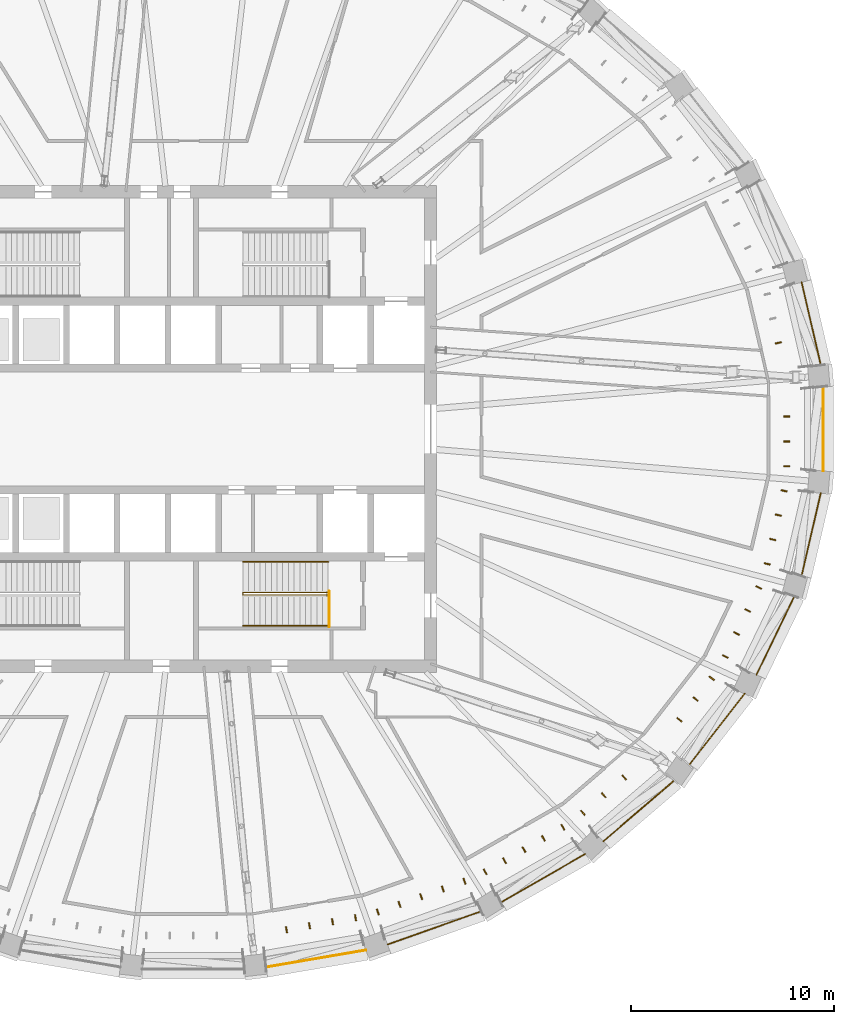
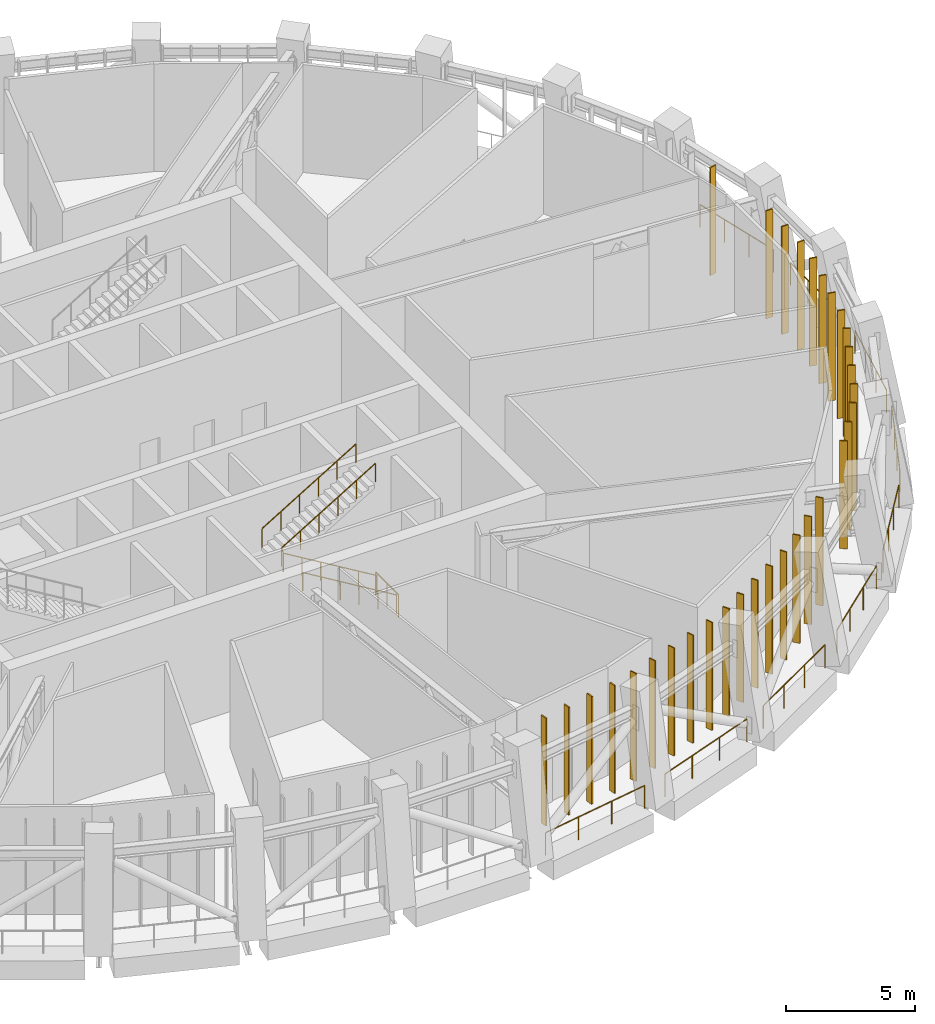
# One storey, part 17 of 20: 32 shading devices, 13 railings.
"""IFC4 building model written with IfcOpenShell, lengths in metres."""

from ifc_helpers import new_model, si_unit, direction, frame, origin, origin_2d, place, context, subcontext, project, spatial, rectangle, circle, extrude, material, material_profile, profile_set, type_object, element, save


model = new_model("IFC4")

# Units and contexts
model_context = context("Model", 3, precision=1e-05, world=origin(), true_north=direction((0.0, 1.0)))
body_context = subcontext(model_context, "Body", "Model", "MODEL_VIEW")
ifc_project = project(units=[si_unit("LENGTHUNIT", "METRE"), si_unit("AREAUNIT", "SQUARE_METRE"), si_unit("VOLUMEUNIT", "CUBIC_METRE"), si_unit("PLANEANGLEUNIT", "RADIAN"), si_unit("MASSUNIT", "GRAM", prefix="KILO")], contexts=[model_context])

# Site, building, storey
site_placement = place(None, origin())
site = spatial("IfcSite", under=ifc_project, at=site_placement, CompositionType="ELEMENT")
building_placement = place(site_placement, origin())
building = spatial("IfcBuilding", under=site, at=building_placement, Name="Halqa Exchange Tower", CompositionType="ELEMENT")
storey_placement = place(building_placement, frame((0.0, 0.0, 250.89990234375)))
storey = spatial("IfcBuildingStorey", under=building, at=storey_placement, Name="L58", CompositionType="ELEMENT", Elevation=250.89990234375)

# Shading devices
ifc_material_1 = material(Name="Anodised aluminium", Category="aluminium")
ifc_material_profile = material_profile(ifc_material_1, rectangle(XDim=0.300048828125, YDim=0.06005859375, at=origin_2d()), Name="AL FIN 300x60")
ifc_profile_set = profile_set([ifc_material_profile], Name="Anodised aluminium")
shading_device_type = type_object("IfcShadingDeviceType", Name="Aluminium louvre FIN 300 x 60", PredefinedType="USERDEFINED", material=ifc_profile_set)
for number, where, z_axis, x_axis, name in (
    (1, (28.84716796875, 4.247314453125, 0.0), (0.0, 0.0, 1.0), (-0.974113055311, -0.226061397572, 0.0), "Louvre FIN 1.2"),
    (2, (4.595458984375, -24.6796875, 0.0), (0.0, 0.0, 1.0), (-0.168066151282, 0.985775719316, 0.0), "Louvre FIN 25.2"),
    (3, (5.730224609375, -24.486328125, 0.0), (0.0, 0.0, 1.0), (-0.168066151282, 0.985775719316, 0.0), "Louvre FIN 25.3"),
    (4, (6.864990234375, -24.29296875, 0.0), (0.0, 0.0, 1.0), (-0.168066151282, 0.985775719316, 0.0), "Louvre FIN 25.4"),
    (5, (7.999755859375, -24.099365234375, 0.0), (0.0, 0.0, 1.0), (-0.168066151282, 0.985775719316, 0.0), "Louvre FIN 25.5"),
    (6, (9.100830078125, -23.81298828125, 0.0), (0.0, 0.0, 1.0), (-0.334578355387, 0.94236793457, 0.0), "Louvre FIN 26.1"),
    (7, (10.168701171875, -23.43408203125, 0.0), (0.0, 0.0, 1.0), (-0.334578355387, 0.94236793457, 0.0), "Louvre FIN 26.2"),
    (8, (11.236328125, -23.054931640625, 0.0), (0.0, 0.0, 1.0), (-0.334578355387, 0.94236793457, 0.0), "Louvre FIN 26.3"),
    (9, (12.30419921875, -22.67578125, 0.0), (0.0, 0.0, 1.0), (-0.334578355387, 0.94236793457, 0.0), "Louvre FIN 26.4"),
    (10, (13.371826171875, -22.296875, 0.0), (0.0, 0.0, 1.0), (-0.334578355387, 0.94236793457, 0.0), "Louvre FIN 26.5"),
    (11, (14.385498046875, -21.83251953125, 0.0), (0.0, 0.0, 1.0), (-0.496984562745, 0.867759381622, 0.0), "Louvre FIN 27.1"),
    (12, (15.3447265625, -21.283203125, 0.0), (0.0, 0.0, 1.0), (-0.496984562745, 0.867759381622, 0.0), "Louvre FIN 27.2"),
    (13, (16.303955078125, -20.733642578125, 0.0), (0.0, 0.0, 1.0), (-0.496984562745, 0.867759381622, 0.0), "Louvre FIN 27.3"),
    (14, (17.26318359375, -20.184326171875, 0.0), (0.0, 0.0, 1.0), (-0.496984562745, 0.867759381622, 0.0), "Louvre FIN 27.4"),
    (15, (18.222412109375, -19.635009765625, 0.0), (0.0, 0.0, 1.0), (-0.496984562745, 0.867759381622, 0.0), "Louvre FIN 27.5"),
    (16, (19.210693359375, -18.92431640625, 0.0), (0.0, 0.0, 1.0), (-0.650795419867, 0.759253133994, 0.0), "Louvre FIN 28.1"),
    (17, (20.22802734375, -18.05224609375, 0.0), (0.0, 0.0, 1.0), (-0.650795419867, 0.759253133994, 0.0), "Louvre FIN 28.2"),
    (18, (21.245361328125, -17.180419921875, 0.0), (0.0, 0.0, 1.0), (-0.650795419867, 0.759253133994, 0.0), "Louvre FIN 28.3"),
    (19, (23.967041015625, -14.33837890625, 0.0), (0.0, 0.0, 1.0), (-0.788670063644, 0.614816664309, 0.0), "Louvre FIN 29.2"),
    (20, (24.764404296875, -13.31591796875, 0.0), (0.0, 0.0, 1.0), (-0.788670063644, 0.614816664309, 0.0), "Louvre FIN 29.3"),
    (21, (25.5615234375, -12.293212890625, 0.0), (0.0, 0.0, 1.0), (-0.788670063644, 0.614816664309, 0.0), "Louvre FIN 29.4"),
    (22, (26.23388671875, -11.21533203125, 0.0), (0.0, 0.0, 1.0), (-0.900385607481, 0.435092815203, 0.0), "Louvre FIN 30.1"),
    (23, (26.781494140625, -10.08203125, 0.0), (0.0, 0.0, 1.0), (-0.900385607481, 0.435092815203, 0.0), "Louvre FIN 30.2"),
    (24, (27.3291015625, -8.948974609375, 0.0), (0.0, 0.0, 1.0), (-0.900385607481, 0.435092815203, 0.0), "Louvre FIN 30.3"),
    (25, (27.876708984375, -7.815673828125, 0.0), (0.0, 0.0, 1.0), (-0.900385607481, 0.435092815203, 0.0), "Louvre FIN 30.4"),
    (26, (28.289794921875, -6.648681640625, 0.0), (0.0, 0.0, 1.0), (-0.974113055311, 0.226061397572, 0.0), "Louvre FIN 31.1"),
    (27, (28.568359375, -5.447998046875, 0.0), (0.0, 0.0, 1.0), (-0.974113055311, 0.226061397572, 0.0), "Louvre FIN 31.2"),
    (28, (28.84716796875, -4.247314453125, 0.0), (0.0, 0.0, 1.0), (-0.974113055311, 0.226061397572, 0.0), "Louvre FIN 31.3"),
    (29, (29.125732421875, -3.046875, 0.0), (0.0, 0.0, 1.0), (-0.974113055311, 0.226061397572, 0.0), "Louvre FIN 31.4"),
    (30, (29.264892578125, -1.8349609375, 0.0), (0.0, 0.0, 1.0), (-1.0, 0.0, 0.0), "Louvre FIN 32.1"),
    (31, (29.264892578125, -0.611572265625, 0.0), (0.0, 0.0, 1.0), (-1.0, 0.0, 0.0), "Louvre FIN 32.2"),
    (32, (29.264892578125, 0.611572265625, 0.0), (0.0, 0.0, 1.0), (-1.0, 0.0, 0.0), "Louvre FIN 32.3"),
):
    element("IfcShadingDevice", number, at=place(storey_placement, frame(where, z_axis=z_axis, x_axis=x_axis)), inside=storey, type_object=shading_device_type, Name=name, ObjectType="FIN", PredefinedType="USERDEFINED", context=body_context, shape_type="SweptSolid", body=[
        extrude(rectangle(XDim=0.300048828125, YDim=0.06005859375, at=origin_2d()), origin(), (0.0, 0.0, 1.0), 5.10009765625),
    ])

# Railings
ifc_material_2 = material(Name="Stainless steel", Category="steel")
railing_type_1 = type_object("IfcRailingType", Name="Guard 1100 stainless steel", PredefinedType="GUARDRAIL", material=ifc_material_2)
railing_1_placement = place(storey_placement, frame((30.935791015625, 3.157958984375, 0.0)))
element("IfcRailing", 33, at=railing_1_placement, inside=storey, type_object=railing_type_1, Name="Band edge guard 1", PredefinedType="GUARDRAIL", context=body_context, shape_type="SweptSolid", body=[
    extrude(circle(Radius=0.02392578125, at=origin_2d()), frame((0.0, 0.0, 1.076171875), z_axis=(-0.226023818634, 0.974121775452, 0.0), x_axis=(-0.974121775452, -0.226023818634, 0.0)), (0.0, 0.0, 1.0), 4.18017578125),
    extrude(circle(Radius=0.02099609375, at=origin_2d()), origin(), (0.0, 0.0, 1.0), 1.052001953125),
    extrude(circle(Radius=0.02099609375, at=origin_2d()), frame((-0.31494140625, 1.357421875, 0.0)), (0.0, 0.0, 1.0), 1.052001953125),
    extrude(circle(Radius=0.02099609375, at=origin_2d()), frame((-0.6298828125, 2.714599609375, 0.0)), (0.0, 0.0, 1.0), 1.052001953125),
    extrude(circle(Radius=0.02099609375, at=origin_2d()), frame((-0.94482421875, 4.072021484375, 0.0)), (0.0, 0.0, 1.0), 1.052001953125),
])
railing_2_placement = place(storey_placement, frame((3.601318359375, -26.53076171875, 0.0)))
element("IfcRailing", 34, at=railing_2_placement, inside=storey, type_object=railing_type_1, Name="Band edge guard 25", PredefinedType="GUARDRAIL", context=body_context, shape_type="SweptSolid", body=[
    extrude(circle(Radius=0.02392578125, at=origin_2d()), frame((0.0, 0.0, 1.076171875), z_axis=(0.985770472782, 0.168096921419, 0.0), x_axis=(-0.168096921419, 0.985770472782, 0.0)), (0.0, 0.0, 1.0), 4.987548828125),
    extrude(circle(Radius=0.02099609375, at=origin_2d()), origin(), (0.0, 0.0, 1.0), 1.052001953125),
    extrude(circle(Radius=0.02099609375, at=origin_2d()), frame((1.638916015625, 0.279541015625, 0.0)), (0.0, 0.0, 1.0), 1.052001953125),
    extrude(circle(Radius=0.02099609375, at=origin_2d()), frame((3.277587890625, 0.558837890625, 0.0)), (0.0, 0.0, 1.0), 1.052001953125),
    extrude(circle(Radius=0.02099609375, at=origin_2d()), frame((4.91650390625, 0.83837890625, 0.0)), (0.0, 0.0, 1.0), 1.052001953125),
])
railing_3_placement = place(storey_placement, frame((9.578125, -25.416015625, 0.0)))
element("IfcRailing", 35, at=railing_3_placement, inside=storey, type_object=railing_type_1, Name="Band edge guard 26", PredefinedType="GUARDRAIL", context=body_context, shape_type="SweptSolid", body=[
    extrude(circle(Radius=0.02392578125, at=origin_2d()), frame((0.0, 0.0, 1.076171875), z_axis=(0.942363882557, 0.334589768002, 0.0), x_axis=(-0.334589768002, 0.942363882557, 0.0)), (0.0, 0.0, 1.0), 4.898193359375),
    extrude(circle(Radius=0.02099609375, at=origin_2d()), origin(), (0.0, 0.0, 1.0), 1.052001953125),
    extrude(circle(Radius=0.02099609375, at=origin_2d()), frame((1.53857421875, 0.54638671875, 0.0)), (0.0, 0.0, 1.0), 1.052001953125),
    extrude(circle(Radius=0.02099609375, at=origin_2d()), frame((3.077392578125, 1.092529296875, 0.0)), (0.0, 0.0, 1.0), 1.052001953125),
    extrude(circle(Radius=0.02099609375, at=origin_2d()), frame((4.615966796875, 1.638916015625, 0.0)), (0.0, 0.0, 1.0), 1.052001953125),
])
railing_4_placement = place(storey_placement, frame((15.189697265625, -23.31982421875, 0.0)))
element("IfcRailing", 36, at=railing_4_placement, inside=storey, type_object=railing_type_1, Name="Band edge guard 27", PredefinedType="GUARDRAIL", context=body_context, shape_type="SweptSolid", body=[
    extrude(circle(Radius=0.02392578125, at=origin_2d()), frame((0.0, 0.0, 1.076171875), z_axis=(0.867760081541, 0.496983340651, 0.0), x_axis=(-0.496983340651, 0.867760081541, 0.0)), (0.0, 0.0, 1.0), 4.7626953125),
    extrude(circle(Radius=0.02099609375, at=origin_2d()), origin(), (0.0, 0.0, 1.0), 1.052001953125),
    extrude(circle(Radius=0.02099609375, at=origin_2d()), frame((1.377685546875, 0.7890625, 0.0)), (0.0, 0.0, 1.0), 1.052001953125),
    extrude(circle(Radius=0.02099609375, at=origin_2d()), frame((2.755126953125, 1.577880859375, 0.0)), (0.0, 0.0, 1.0), 1.052001953125),
    extrude(circle(Radius=0.02099609375, at=origin_2d()), frame((4.1328125, 2.366943359375, 0.0)), (0.0, 0.0, 1.0), 1.052001953125),
])
railing_5_placement = place(storey_placement, frame((20.21728515625, -20.321533203125, 0.0)))
element("IfcRailing", 37, at=railing_5_placement, inside=storey, type_object=railing_type_1, Name="Band edge guard 28", PredefinedType="GUARDRAIL", context=body_context, shape_type="SweptSolid", body=[
    extrude(circle(Radius=0.02392578125, at=origin_2d()), frame((0.0, 0.0, 1.076171875), z_axis=(0.759260350244, 0.650787000905, 0.0), x_axis=(-0.650787000905, 0.759260350244, 0.0)), (0.0, 0.0, 1.0), 4.59814453125),
    extrude(circle(Radius=0.02099609375, at=origin_2d()), origin(), (0.0, 0.0, 1.0), 1.052001953125),
    extrude(circle(Radius=0.02099609375, at=origin_2d()), frame((1.163818359375, 0.99755859375, 0.0)), (0.0, 0.0, 1.0), 1.052001953125),
    extrude(circle(Radius=0.02099609375, at=origin_2d()), frame((2.327392578125, 1.994873046875, 0.0)), (0.0, 0.0, 1.0), 1.052001953125),
    extrude(circle(Radius=0.02099609375, at=origin_2d()), frame((3.4912109375, 2.992431640625, 0.0)), (0.0, 0.0, 1.0), 1.052001953125),
])
railing_6_placement = place(storey_placement, frame((24.464111328125, -16.537353515625, 0.0)))
element("IfcRailing", 38, at=railing_6_placement, inside=storey, type_object=railing_type_1, Name="Band edge guard 29", PredefinedType="GUARDRAIL", context=body_context, shape_type="SweptSolid", body=[
    extrude(circle(Radius=0.02392578125, at=origin_2d()), frame((0.0, 0.0, 1.076171875), z_axis=(0.614837099367, 0.788654132838, 0.0), x_axis=(-0.788654132838, 0.614837099367, 0.0)), (0.0, 0.0, 1.0), 4.4287109375),
    extrude(circle(Radius=0.02099609375, at=origin_2d()), origin(), (0.0, 0.0, 1.0), 1.052001953125),
    extrude(circle(Radius=0.02099609375, at=origin_2d()), frame((0.90771484375, 1.164306640625, 0.0)), (0.0, 0.0, 1.0), 1.052001953125),
    extrude(circle(Radius=0.02099609375, at=origin_2d()), frame((1.815185546875, 2.328369140625, 0.0)), (0.0, 0.0, 1.0), 1.052001953125),
    extrude(circle(Radius=0.02099609375, at=origin_2d()), frame((2.722900390625, 3.49267578125, 0.0)), (0.0, 0.0, 1.0), 1.052001953125),
])
railing_7_placement = place(storey_placement, frame((27.764404296875, -12.115478515625, 0.0)))
element("IfcRailing", 39, at=railing_7_placement, inside=storey, type_object=railing_type_1, Name="Band edge guard 30", PredefinedType="GUARDRAIL", context=body_context, shape_type="SweptSolid", body=[
    extrude(circle(Radius=0.02392578125, at=origin_2d()), frame((0.0, 0.0, 1.076171875), z_axis=(0.435128594947, 0.900368316779, 0.0), x_axis=(-0.900368316779, 0.435128594947, 0.0)), (0.0, 0.0, 1.0), 4.281005859375),
    extrude(circle(Radius=0.02099609375, at=origin_2d()), origin(), (0.0, 0.0, 1.0), 1.052001953125),
    extrude(circle(Radius=0.02099609375, at=origin_2d()), frame((0.620849609375, 1.284912109375, 0.0)), (0.0, 0.0, 1.0), 1.052001953125),
    extrude(circle(Radius=0.02099609375, at=origin_2d()), frame((1.241943359375, 2.569580078125, 0.0)), (0.0, 0.0, 1.0), 1.052001953125),
    extrude(circle(Radius=0.02099609375, at=origin_2d()), frame((1.86279296875, 3.8544921875, 0.0)), (0.0, 0.0, 1.0), 1.052001953125),
])
railing_8_placement = place(storey_placement, frame((29.990966796875, -7.22998046875, 0.0)))
element("IfcRailing", 40, at=railing_8_placement, inside=storey, type_object=railing_type_1, Name="Band edge guard 31", PredefinedType="GUARDRAIL", context=body_context, shape_type="SweptSolid", body=[
    extrude(circle(Radius=0.02392578125, at=origin_2d()), frame((0.0, 0.0, 1.076171875), z_axis=(0.226023818634, 0.974121775452, 0.0), x_axis=(-0.974121775452, 0.226023818634, 0.0)), (0.0, 0.0, 1.0), 4.18017578125),
    extrude(circle(Radius=0.02099609375, at=origin_2d()), origin(), (0.0, 0.0, 1.0), 1.052001953125),
    extrude(circle(Radius=0.02099609375, at=origin_2d()), frame((0.31494140625, 1.357421875, 0.0)), (0.0, 0.0, 1.0), 1.052001953125),
    extrude(circle(Radius=0.02099609375, at=origin_2d()), frame((0.6298828125, 2.714599609375, 0.0)), (0.0, 0.0, 1.0), 1.052001953125),
    extrude(circle(Radius=0.02099609375, at=origin_2d()), frame((0.94482421875, 4.072021484375, 0.0)), (0.0, 0.0, 1.0), 1.052001953125),
])
railing_9_placement = place(storey_placement, frame((31.060302734375, -2.072021484375, 0.0)))
element("IfcRailing", 41, at=railing_9_placement, inside=storey, type_object=railing_type_1, Name="Band edge guard 32", PredefinedType="GUARDRAIL", context=body_context, shape_type="SweptSolid", body=[
    extrude(circle(Radius=0.02392578125, at=origin_2d()), frame((0.0, 0.0, 1.076171875), z_axis=(0.0, 1.0, 0.0), x_axis=(-1.0, 0.0, 0.0)), (0.0, 0.0, 1.0), 4.14404296875),
    extrude(circle(Radius=0.02099609375, at=origin_2d()), origin(), (0.0, 0.0, 1.0), 1.052001953125),
    extrude(circle(Radius=0.02099609375, at=origin_2d()), frame((0.0, 1.38134765625, 0.0)), (0.0, 0.0, 1.0), 1.052001953125),
    extrude(circle(Radius=0.02099609375, at=origin_2d()), frame((0.0, 2.7626953125, 0.0)), (0.0, 0.0, 1.0), 1.052001953125),
    extrude(circle(Radius=0.02099609375, at=origin_2d()), frame((0.0, 4.14404296875, 0.0)), (0.0, 0.0, 1.0), 1.052001953125),
])
railing_type_2 = type_object("IfcRailingType", Name="Stair handrail 900", PredefinedType="HANDRAIL", material=ifc_material_2)
railing_10_placement = place(storey_placement, frame((6.64990234375, -8.18994140625, 0.168701171875)))
element("IfcRailing", 42, at=railing_10_placement, inside=storey, type_object=railing_type_2, Name="Handrail ST4.1", PredefinedType="HANDRAIL", context=body_context, shape_type="SweptSolid", body=[
    extrude(circle(Radius=0.02392578125, at=origin_2d()), frame((0.0, 0.0, 0.8759765625), z_axis=(-0.856454481726, 0.0, 0.516222549615), x_axis=(0.0, -1.0, 0.0)), (0.0, 0.0, 1.0), 4.90380859375),
    extrude(circle(Radius=0.02392578125, at=origin_2d()), frame((-4.199951171875, 0.0, 3.4072265625), z_axis=(0.0, 0.610043206925, 0.792368150348), x_axis=(-1.0, 0.0, 0.0)), (0.0, 0.0, 1.0), 0.212890625),
    extrude(circle(Radius=0.02392578125, at=origin_2d()), frame((-4.199951171875, 0.1298828125, 3.576171875), z_axis=(0.856476492594, 0.0, 0.516186030065), x_axis=(0.0, 1.0, 0.0)), (0.0, 0.0, 1.0), 4.90380859375),
    extrude(circle(Radius=0.02099609375, at=origin_2d()), origin(), (0.0, 0.0, 1.0), 0.851806640625),
    extrude(circle(Radius=0.02099609375, at=origin_2d()), frame((-0.840087890625, 0.0, 0.50634765625)), (0.0, 0.0, 1.0), 0.851806640625),
    extrude(circle(Radius=0.02099609375, at=origin_2d()), frame((-1.679931640625, 0.0, 1.0126953125)), (0.0, 0.0, 1.0), 0.851806640625),
    extrude(circle(Radius=0.02099609375, at=origin_2d()), frame((-2.52001953125, 0.0, 1.518798828125)), (0.0, 0.0, 1.0), 0.851806640625),
    extrude(circle(Radius=0.02099609375, at=origin_2d()), frame((-3.35986328125, 0.0, 2.025146484375)), (0.0, 0.0, 1.0), 0.851806640625),
    extrude(circle(Radius=0.02099609375, at=origin_2d()), frame((-4.199951171875, 0.0, 2.531494140625)), (0.0, 0.0, 1.0), 0.851806640625),
    extrude(circle(Radius=0.02099609375, at=origin_2d()), frame((-4.199951171875, 0.1298828125, 2.7001953125)), (0.0, 0.0, 1.0), 0.851806640625),
    extrude(circle(Radius=0.02099609375, at=origin_2d()), frame((-3.35986328125, 0.1298828125, 3.20654296875)), (0.0, 0.0, 1.0), 0.851806640625),
    extrude(circle(Radius=0.02099609375, at=origin_2d()), frame((-2.52001953125, 0.1298828125, 3.712646484375)), (0.0, 0.0, 1.0), 0.851806640625),
    extrude(circle(Radius=0.02099609375, at=origin_2d()), frame((-1.679931640625, 0.1298828125, 4.218994140625)), (0.0, 0.0, 1.0), 0.851806640625),
    extrude(circle(Radius=0.02099609375, at=origin_2d()), frame((-0.840087890625, 0.1298828125, 4.72509765625)), (0.0, 0.0, 1.0), 0.851806640625),
    extrude(circle(Radius=0.02099609375, at=origin_2d()), frame((0.0, 0.1298828125, 5.2314453125)), (0.0, 0.0, 1.0), 0.851806640625),
])
railing_11_placement = place(storey_placement, frame((6.64990234375, -9.699951171875, 0.168701171875)))
element("IfcRailing", 43, at=railing_11_placement, inside=storey, type_object=railing_type_2, Name="Handrail ST4.2", PredefinedType="HANDRAIL", context=body_context, shape_type="SweptSolid", body=[
    extrude(circle(Radius=0.02392578125, at=origin_2d()), frame((0.0, 0.0, 0.8759765625), z_axis=(-0.856454481726, 0.0, 0.516222549615), x_axis=(0.0, -1.0, 0.0)), (0.0, 0.0, 1.0), 4.90380859375),
    extrude(circle(Radius=0.02099609375, at=origin_2d()), origin(), (0.0, 0.0, 1.0), 0.851806640625),
    extrude(circle(Radius=0.02099609375, at=origin_2d()), frame((-0.840087890625, 0.0, 0.50634765625)), (0.0, 0.0, 1.0), 0.851806640625),
    extrude(circle(Radius=0.02099609375, at=origin_2d()), frame((-1.679931640625, 0.0, 1.0126953125)), (0.0, 0.0, 1.0), 0.851806640625),
    extrude(circle(Radius=0.02099609375, at=origin_2d()), frame((-2.52001953125, 0.0, 1.518798828125)), (0.0, 0.0, 1.0), 0.851806640625),
    extrude(circle(Radius=0.02099609375, at=origin_2d()), frame((-3.35986328125, 0.0, 2.025146484375)), (0.0, 0.0, 1.0), 0.851806640625),
    extrude(circle(Radius=0.02099609375, at=origin_2d()), frame((-4.199951171875, 0.0, 2.531494140625)), (0.0, 0.0, 1.0), 0.851806640625),
])
railing_12_placement = place(storey_placement, frame((2.449951171875, -6.550048828125, 2.868896484375)))
element("IfcRailing", 44, at=railing_12_placement, inside=storey, type_object=railing_type_2, Name="Handrail ST4.3", PredefinedType="HANDRAIL", context=body_context, shape_type="SweptSolid", body=[
    extrude(circle(Radius=0.02392578125, at=origin_2d()), frame((0.0, 0.0, 0.8759765625), z_axis=(0.856476492594, 0.0, 0.516186030065), x_axis=(0.0, 1.0, 0.0)), (0.0, 0.0, 1.0), 4.90380859375),
    extrude(circle(Radius=0.02099609375, at=origin_2d()), origin(), (0.0, 0.0, 1.0), 0.851806640625),
    extrude(circle(Radius=0.02099609375, at=origin_2d()), frame((0.840087890625, 0.0, 0.50634765625)), (0.0, 0.0, 1.0), 0.851806640625),
    extrude(circle(Radius=0.02099609375, at=origin_2d()), frame((1.679931640625, 0.0, 1.012451171875)), (0.0, 0.0, 1.0), 0.851806640625),
    extrude(circle(Radius=0.02099609375, at=origin_2d()), frame((2.52001953125, 0.0, 1.518798828125)), (0.0, 0.0, 1.0), 0.851806640625),
    extrude(circle(Radius=0.02099609375, at=origin_2d()), frame((3.35986328125, 0.0, 2.02490234375)), (0.0, 0.0, 1.0), 0.851806640625),
    extrude(circle(Radius=0.02099609375, at=origin_2d()), frame((4.199951171875, 0.0, 2.53125)), (0.0, 0.0, 1.0), 0.851806640625),
])
railing_type_3 = type_object("IfcRailingType", Name="Stair well guard 1100", PredefinedType="GUARDRAIL", material=ifc_material_2)
railing_13_placement = place(storey_placement, frame((6.699951171875, -9.75, 0.0)))
element("IfcRailing", 45, at=railing_13_placement, inside=storey, type_object=railing_type_3, Name="Guard ST4 well", PredefinedType="GUARDRAIL", context=body_context, shape_type="SweptSolid", body=[
    extrude(circle(Radius=0.02392578125, at=origin_2d()), frame((0.0, 0.0, 1.076171875), z_axis=(0.0, 1.0, 0.0), x_axis=(-1.0, 0.0, 0.0)), (0.0, 0.0, 1.0), 1.75),
    extrude(circle(Radius=0.02099609375, at=origin_2d()), origin(), (0.0, 0.0, 1.0), 1.052001953125),
    extrude(circle(Radius=0.02099609375, at=origin_2d()), frame((0.0, 0.875, 0.0)), (0.0, 0.0, 1.0), 1.052001953125),
    extrude(circle(Radius=0.02099609375, at=origin_2d()), frame((0.0, 1.75, 0.0)), (0.0, 0.0, 1.0), 1.052001953125),
])

save(model, "model.ifc")
